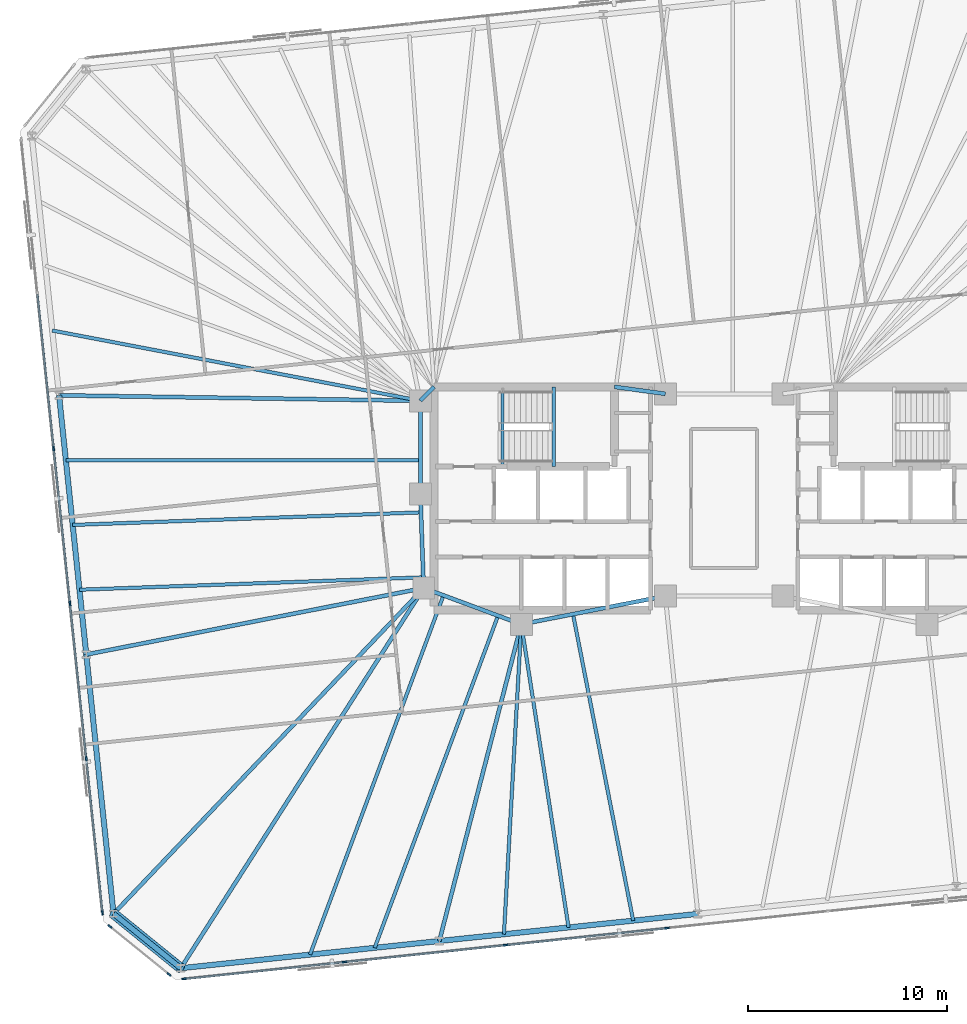
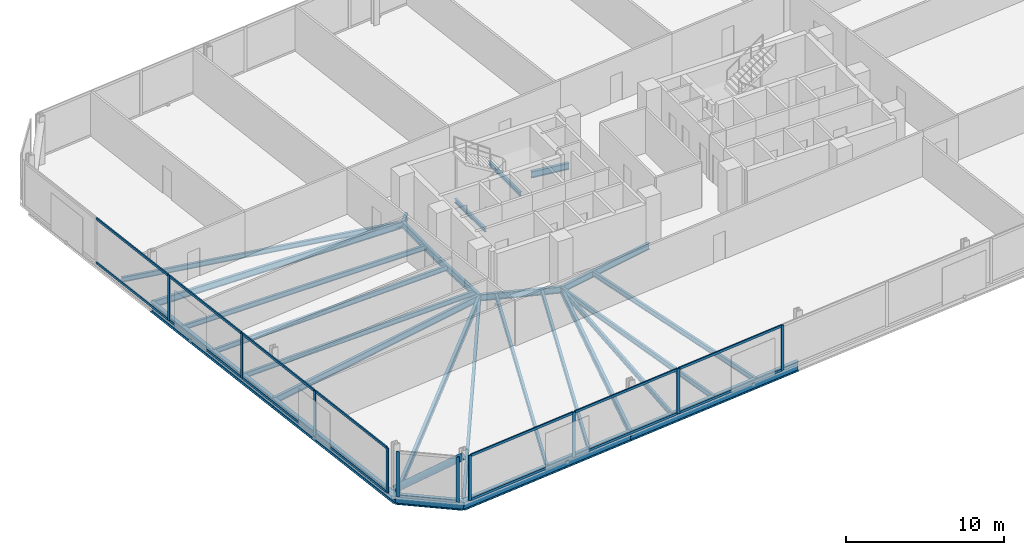
# One storey, part 6 of 18: 27 beams, 25 members, 3 elements without a shape of their own.
"""IFC4 building model written with IfcOpenShell, lengths in metres."""

from ifc_helpers import new_model, si_unit, direction, frame, origin, origin_2d, place, context, subcontext, project, spatial, rectangle, hollow_circle, i_section, extrude, material, material_profile, profile_set, type_object, element, aggregate, save


model = new_model("IFC4")

# Units and contexts
model_context = context("Model", 3, precision=1e-05, world=origin(), true_north=direction((0.0, 1.0)))
body_context = subcontext(model_context, "Body", "Model", "MODEL_VIEW")
ifc_project = project(units=[si_unit("LENGTHUNIT", "METRE"), si_unit("AREAUNIT", "SQUARE_METRE"), si_unit("VOLUMEUNIT", "CUBIC_METRE"), si_unit("PLANEANGLEUNIT", "RADIAN"), si_unit("MASSUNIT", "GRAM", prefix="KILO")], contexts=[model_context])

# Site, building, storey
site_placement = place(None, origin())
site = spatial("IfcSite", under=ifc_project, at=site_placement, CompositionType="ELEMENT")
building_placement = place(site_placement, origin())
building = spatial("IfcBuilding", under=site, at=building_placement, Name="Menara Jurai Vektor", CompositionType="ELEMENT")
storey_placement = place(building_placement, frame((0.0, 0.0, 128.10009765625)))
storey = spatial("IfcBuildingStorey", under=building, at=storey_placement, Name="L32", CompositionType="ELEMENT", Elevation=128.10009765625)

# Curtain wall, members
ifc_material_1 = material(Name="Anodised Pale Aluminium & Low-E Double Glazing", Category="aluminium")
curtain_wall_type = type_object("IfcCurtainWallType", Name="CW-BLK2", PredefinedType="NOTDEFINED", material=ifc_material_1)
curtain_wall_1_placement = place(storey_placement, origin())
curtain_wall_1 = element("IfcCurtainWall", 1, at=curtain_wall_1_placement, inside=storey, type_object=curtain_wall_type, Name="Unitised Curtain Wall L32 F01", PredefinedType="NOTDEFINED")
ifc_material_2 = material(Name="Anodised Pale Aluminium Mullion", Category="aluminium")
ifc_material_profile_1 = material_profile(ifc_material_2, rectangle(XDim=0.090087890625, YDim=0.219970703125, at=origin_2d()), Name="ALU MUL 90x220")
ifc_profile_set_1 = profile_set([ifc_material_profile_1], Name="Anodised Pale Aluminium Mullion")
member_type_1 = type_object("IfcMemberType", Name="CW-BLK2-MUL", PredefinedType="MULLION", material=ifc_profile_set_1)
member_1_placement = place(storey_placement, frame((-27.116455078125, -24.122314453125, 0.0), z_axis=(0.0, 0.0, 1.0), x_axis=(-0.104528634935, 0.994521877325, 0.0)))
member_1 = element("IfcMember", 2, at=member_1_placement, type_object=member_type_1, Name="CW-02 mullion 1", PredefinedType="MULLION", context=body_context, shape_type="SweptSolid", body=[
    extrude(rectangle(XDim=0.090087890625, YDim=0.219970703125, at=origin_2d()), origin(), (0.0, 0.0, 1.0), 3.474853515625),
])
member_2_placement = place(storey_placement, frame((-19.0634765625, -23.27587890625, 0.0), z_axis=(0.0, 0.0, 1.0), x_axis=(-0.104528634935, 0.994521877325, 0.0)))
member_2 = element("IfcMember", 3, at=member_2_placement, type_object=member_type_1, Name="CW-02 mullion 2", PredefinedType="MULLION", context=body_context, shape_type="SweptSolid", body=[
    extrude(rectangle(XDim=0.090087890625, YDim=0.219970703125, at=origin_2d()), origin(), (0.0, 0.0, 1.0), 3.474853515625),
])
member_3_placement = place(storey_placement, frame((-10.965576171875, -22.4248046875, 0.0), z_axis=(0.0, 0.0, 1.0), x_axis=(-0.104528634935, 0.994521877325, 0.0)))
member_3 = element("IfcMember", 4, at=member_3_placement, type_object=member_type_1, Name="CW-02 mullion 3", PredefinedType="MULLION", context=body_context, shape_type="SweptSolid", body=[
    extrude(rectangle(XDim=0.090087890625, YDim=0.219970703125, at=origin_2d()), origin(), (0.0, 0.0, 1.0), 3.474853515625),
])
member_4_placement = place(storey_placement, frame((-2.86767578125, -21.57373046875, 0.0), z_axis=(0.0, 0.0, 1.0), x_axis=(-0.104528634935, 0.994521877325, 0.0)))
member_4 = element("IfcMember", 5, at=member_4_placement, type_object=member_type_1, Name="CW-02 mullion 4", PredefinedType="MULLION", context=body_context, shape_type="SweptSolid", body=[
    extrude(rectangle(XDim=0.090087890625, YDim=0.219970703125, at=origin_2d()), origin(), (0.0, 0.0, 1.0), 3.474853515625),
])

curtain_wall_2_placement = place(storey_placement, origin())
curtain_wall_2 = element("IfcCurtainWall", 6, at=curtain_wall_2_placement, inside=storey, type_object=curtain_wall_type, Name="Unitised Curtain Wall L32 F07", PredefinedType="NOTDEFINED")
member_5_placement = place(storey_placement, frame((-33.66064453125, 2.50341796875, 0.0), z_axis=(0.0, 0.0, 1.0), x_axis=(0.99452177832, 0.104529576902, 0.0)))
member_5 = element("IfcMember", 7, at=member_5_placement, type_object=member_type_1, Name="CW-02 mullion 3", PredefinedType="MULLION", context=body_context, shape_type="SweptSolid", body=[
    extrude(rectangle(XDim=0.090087890625, YDim=0.219970703125, at=origin_2d()), origin(), (0.0, 0.0, 1.0), 3.474853515625),
])
member_6_placement = place(storey_placement, frame((-32.84228515625, -5.28173828125, 0.0), z_axis=(0.0, 0.0, 1.0), x_axis=(0.99452177832, 0.104529576902, 0.0)))
member_6 = element("IfcMember", 8, at=member_6_placement, type_object=member_type_1, Name="CW-02 mullion 4", PredefinedType="MULLION", context=body_context, shape_type="SweptSolid", body=[
    extrude(rectangle(XDim=0.090087890625, YDim=0.219970703125, at=origin_2d()), origin(), (0.0, 0.0, 1.0), 3.474853515625),
])
member_7_placement = place(storey_placement, frame((-32.024169921875, -13.06689453125, 0.0), z_axis=(0.0, 0.0, 1.0), x_axis=(0.99452177832, 0.104529576902, 0.0)))
member_7 = element("IfcMember", 9, at=member_7_placement, type_object=member_type_1, Name="CW-02 mullion 5", PredefinedType="MULLION", context=body_context, shape_type="SweptSolid", body=[
    extrude(rectangle(XDim=0.090087890625, YDim=0.219970703125, at=origin_2d()), origin(), (0.0, 0.0, 1.0), 3.474853515625),
])
member_8_placement = place(storey_placement, frame((-31.21044921875, -20.80712890625, 0.0), z_axis=(0.0, 0.0, 1.0), x_axis=(0.99452177832, 0.104529576902, 0.0)))
member_8 = element("IfcMember", 10, at=member_8_placement, type_object=member_type_1, Name="CW-02 mullion 6", PredefinedType="MULLION", context=body_context, shape_type="SweptSolid", body=[
    extrude(rectangle(XDim=0.090087890625, YDim=0.219970703125, at=origin_2d()), origin(), (0.0, 0.0, 1.0), 3.474853515625),
])

curtain_wall_3_placement = place(storey_placement, origin())
curtain_wall_3 = element("IfcCurtainWall", 11, at=curtain_wall_3_placement, inside=storey, type_object=curtain_wall_type, Name="Unitised Curtain Wall L32 F08", PredefinedType="NOTDEFINED")
member_9_placement = place(storey_placement, frame((-30.8359375, -21.497314453125, 0.0), z_axis=(0.0, 0.0, 1.0), x_axis=(0.629313085353, 0.777151877437, 0.0)))
member_9 = element("IfcMember", 12, at=member_9_placement, type_object=member_type_1, Name="CW-02 mullion 1", PredefinedType="MULLION", context=body_context, shape_type="SweptSolid", body=[
    extrude(rectangle(XDim=0.090087890625, YDim=0.219970703125, at=origin_2d()), origin(), (0.0, 0.0, 1.0), 3.474853515625),
])
member_10_placement = place(storey_placement, frame((-27.869384765625, -23.8994140625, 0.0), z_axis=(0.0, 0.0, 1.0), x_axis=(0.629313085353, 0.777151877437, 0.0)))
member_10 = element("IfcMember", 13, at=member_10_placement, type_object=member_type_1, Name="CW-02 mullion 2", PredefinedType="MULLION", context=body_context, shape_type="SweptSolid", body=[
    extrude(rectangle(XDim=0.090087890625, YDim=0.219970703125, at=origin_2d()), origin(), (0.0, 0.0, 1.0), 3.474853515625),
])
aggregate(curtain_wall_3, [member_9, member_10])

# Member
ifc_material_3 = material(Name="Anodised Pale Aluminium Transom", Category="aluminium")
ifc_material_profile_2 = material_profile(ifc_material_3, rectangle(XDim=0.090087890625, YDim=0.18505859375, at=origin_2d()), Name="ALU TRN 90x185")
ifc_profile_set_2 = profile_set([ifc_material_profile_2], Name="Anodised Pale Aluminium Transom")
member_type_2 = type_object("IfcMemberType", Name="CW-BLK2-TRN", PredefinedType="USERDEFINED", material=ifc_profile_set_2)
member_11_placement = place(storey_placement, frame((-27.07177734375, -24.11767578125, 0.044921875), z_axis=(0.994523147415, 0.10451655015, 0.0), x_axis=(-0.10451655015, 0.994523147415, 0.0)))
member_11 = element("IfcMember", 14, at=member_11_placement, type_object=member_type_2, Name="CW-02 transom 1.1", ObjectType="TRANSOM", PredefinedType="USERDEFINED", context=body_context, shape_type="SweptSolid", body=[
    extrude(rectangle(XDim=0.090087890625, YDim=0.18505859375, at=origin_2d()), origin(), (0.0, 0.0, 1.0), 8.007568359375),
])

member_12_placement = place(storey_placement, frame((-27.07177734375, -24.11767578125, 3.429931640625), z_axis=(0.994523147415, 0.10451655015, 0.0), x_axis=(-0.10451655015, 0.994523147415, 0.0)))
member_12 = element("IfcMember", 15, at=member_12_placement, type_object=member_type_2, Name="CW-02 transom 1.2", ObjectType="TRANSOM", PredefinedType="USERDEFINED", context=body_context, shape_type="SweptSolid", body=[
    extrude(rectangle(XDim=0.090087890625, YDim=0.18505859375, at=origin_2d()), origin(), (0.0, 0.0, 1.0), 8.007568359375),
])

member_13_placement = place(storey_placement, frame((-19.0185546875, -23.271240234375, 0.044921875), z_axis=(0.994520726373, 0.10453958492, 0.0), x_axis=(-0.10453958492, 0.994520726373, 0.0)))
member_13 = element("IfcMember", 16, at=member_13_placement, type_object=member_type_2, Name="CW-02 transom 2.1", ObjectType="TRANSOM", PredefinedType="USERDEFINED", context=body_context, shape_type="SweptSolid", body=[
    extrude(rectangle(XDim=0.090087890625, YDim=0.18505859375, at=origin_2d()), origin(), (0.0, 0.0, 1.0), 8.052490234375),
])

member_14_placement = place(storey_placement, frame((-19.0185546875, -23.271240234375, 3.429931640625), z_axis=(0.994520726373, 0.10453958492, 0.0), x_axis=(-0.10453958492, 0.994520726373, 0.0)))
member_14 = element("IfcMember", 17, at=member_14_placement, type_object=member_type_2, Name="CW-02 transom 2.2", ObjectType="TRANSOM", PredefinedType="USERDEFINED", context=body_context, shape_type="SweptSolid", body=[
    extrude(rectangle(XDim=0.090087890625, YDim=0.18505859375, at=origin_2d()), origin(), (0.0, 0.0, 1.0), 8.052490234375),
])

member_15_placement = place(storey_placement, frame((-10.920654296875, -22.420166015625, 0.044921875), z_axis=(0.994520726373, 0.10453958492, 0.0), x_axis=(-0.10453958492, 0.994520726373, 0.0)))
member_15 = element("IfcMember", 18, at=member_15_placement, type_object=member_type_2, Name="CW-02 transom 3.1", ObjectType="TRANSOM", PredefinedType="USERDEFINED", context=body_context, shape_type="SweptSolid", body=[
    extrude(rectangle(XDim=0.090087890625, YDim=0.18505859375, at=origin_2d()), origin(), (0.0, 0.0, 1.0), 8.052490234375),
])

member_16_placement = place(storey_placement, frame((-10.920654296875, -22.420166015625, 3.429931640625), z_axis=(0.994520726373, 0.10453958492, 0.0), x_axis=(-0.10453958492, 0.994520726373, 0.0)))
member_16 = element("IfcMember", 19, at=member_16_placement, type_object=member_type_2, Name="CW-02 transom 3.2", ObjectType="TRANSOM", PredefinedType="USERDEFINED", context=body_context, shape_type="SweptSolid", body=[
    extrude(rectangle(XDim=0.090087890625, YDim=0.18505859375, at=origin_2d()), origin(), (0.0, 0.0, 1.0), 8.052490234375),
])

aggregate(curtain_wall_1, [member_1, member_2, member_3, member_4, member_11, member_12, member_13, member_14, member_15, member_16])

member_17_placement = place(storey_placement, frame((-34.47412109375, 10.243896484375, 0.044921875), z_axis=(0.104525476786, -0.994522209256, 0.0), x_axis=(0.994522209256, 0.104525476786, 0.0)))
member_17 = element("IfcMember", 20, at=member_17_placement, type_object=member_type_2, Name="CW-02 transom 2.1", ObjectType="TRANSOM", PredefinedType="USERDEFINED", context=body_context, shape_type="SweptSolid", body=[
    extrude(rectangle(XDim=0.090087890625, YDim=0.18505859375, at=origin_2d()), origin(), (0.0, 0.0, 1.0), 7.73828125),
])

member_18_placement = place(storey_placement, frame((-34.47412109375, 10.243896484375, 3.429931640625), z_axis=(0.104525476786, -0.994522209256, 0.0), x_axis=(0.994522209256, 0.104525476786, 0.0)))
member_18 = element("IfcMember", 21, at=member_18_placement, type_object=member_type_2, Name="CW-02 transom 2.2", ObjectType="TRANSOM", PredefinedType="USERDEFINED", context=body_context, shape_type="SweptSolid", body=[
    extrude(rectangle(XDim=0.090087890625, YDim=0.18505859375, at=origin_2d()), origin(), (0.0, 0.0, 1.0), 7.73828125),
])

member_19_placement = place(storey_placement, frame((-33.65576171875, 2.458740234375, 0.044921875), z_axis=(0.104525476786, -0.994522209256, 0.0), x_axis=(0.994522209256, 0.104525476786, 0.0)))
member_19 = element("IfcMember", 22, at=member_19_placement, type_object=member_type_2, Name="CW-02 transom 3.1", ObjectType="TRANSOM", PredefinedType="USERDEFINED", context=body_context, shape_type="SweptSolid", body=[
    extrude(rectangle(XDim=0.090087890625, YDim=0.18505859375, at=origin_2d()), origin(), (0.0, 0.0, 1.0), 7.73828125),
])

member_20_placement = place(storey_placement, frame((-33.65576171875, 2.458740234375, 3.429931640625), z_axis=(0.104525476786, -0.994522209256, 0.0), x_axis=(0.994522209256, 0.104525476786, 0.0)))
member_20 = element("IfcMember", 23, at=member_20_placement, type_object=member_type_2, Name="CW-02 transom 3.2", ObjectType="TRANSOM", PredefinedType="USERDEFINED", context=body_context, shape_type="SweptSolid", body=[
    extrude(rectangle(XDim=0.090087890625, YDim=0.18505859375, at=origin_2d()), origin(), (0.0, 0.0, 1.0), 7.73828125),
])

member_21_placement = place(storey_placement, frame((-32.837646484375, -5.326416015625, 0.044921875), z_axis=(0.104525476786, -0.994522209256, 0.0), x_axis=(0.994522209256, 0.104525476786, 0.0)))
member_21 = element("IfcMember", 24, at=member_21_placement, type_object=member_type_2, Name="CW-02 transom 4.1", ObjectType="TRANSOM", PredefinedType="USERDEFINED", context=body_context, shape_type="SweptSolid", body=[
    extrude(rectangle(XDim=0.090087890625, YDim=0.18505859375, at=origin_2d()), origin(), (0.0, 0.0, 1.0), 7.73828125),
])

member_22_placement = place(storey_placement, frame((-32.837646484375, -5.326416015625, 3.429931640625), z_axis=(0.104525476786, -0.994522209256, 0.0), x_axis=(0.994522209256, 0.104525476786, 0.0)))
member_22 = element("IfcMember", 25, at=member_22_placement, type_object=member_type_2, Name="CW-02 transom 4.2", ObjectType="TRANSOM", PredefinedType="USERDEFINED", context=body_context, shape_type="SweptSolid", body=[
    extrude(rectangle(XDim=0.090087890625, YDim=0.18505859375, at=origin_2d()), origin(), (0.0, 0.0, 1.0), 7.73828125),
])

member_23_placement = place(storey_placement, frame((-32.019287109375, -13.111572265625, 0.044921875), z_axis=(0.104536105602, -0.994521092097, 0.0), x_axis=(0.994521092097, 0.104536105602, 0.0)))
member_23 = element("IfcMember", 26, at=member_23_placement, type_object=member_type_2, Name="CW-02 transom 5.1", ObjectType="TRANSOM", PredefinedType="USERDEFINED", context=body_context, shape_type="SweptSolid", body=[
    extrude(rectangle(XDim=0.090087890625, YDim=0.18505859375, at=origin_2d()), origin(), (0.0, 0.0, 1.0), 7.693115234375),
])

member_24_placement = place(storey_placement, frame((-32.019287109375, -13.111572265625, 3.429931640625), z_axis=(0.104536105602, -0.994521092097, 0.0), x_axis=(0.994521092097, 0.104536105602, 0.0)))
member_24 = element("IfcMember", 27, at=member_24_placement, type_object=member_type_2, Name="CW-02 transom 5.2", ObjectType="TRANSOM", PredefinedType="USERDEFINED", context=body_context, shape_type="SweptSolid", body=[
    extrude(rectangle(XDim=0.090087890625, YDim=0.18505859375, at=origin_2d()), origin(), (0.0, 0.0, 1.0), 7.693115234375),
])

aggregate(curtain_wall_2, [member_5, member_6, member_7, member_8, member_17, member_18, member_19, member_20, member_21, member_22, member_23, member_24])

# Beams
ifc_material_4 = material(Name="Steel S355", Category="steel")
ifc_material_profile_3 = material_profile(ifc_material_4, i_section(OverallWidth=0.199951171875, OverallDepth=0.5, WebThickness=0.011962890625, FlangeThickness=0.02001953125, at=origin_2d()), Name="PG 500x200x96")
ifc_profile_set_3 = profile_set([ifc_material_profile_3], Name="Steel S355")
beam_type_1 = type_object("IfcBeamType", Name="STR-BM-500", PredefinedType="BEAM", material=ifc_profile_set_3)
beam_1_placement = place(storey_placement, frame((-15.25, 4.89990234375, -0.47509765625), z_axis=(0.701871936926, 0.712303154672, 0.0), x_axis=(-0.712303154672, 0.701871936926, 0.0)))
element("IfcBeam", 28, at=beam_1_placement, inside=storey, type_object=beam_type_1, Name="Core Ring Header Girder L32-CHW-N1", PredefinedType="BEAM", context=body_context, shape_type="SweptSolid", body=[
    extrude(i_section(OverallWidth=0.199951171875, OverallDepth=0.5, WebThickness=0.011962890625, FlangeThickness=0.02001953125, at=origin_2d()), origin(), (0.0, 0.0, 1.0), 0.98291015625),
])
beam_2_placement = place(storey_placement, frame((-5.5, 5.60009765625, -0.47509765625), z_axis=(0.990706818608, -0.136014703483, 0.0), x_axis=(0.136014703483, 0.990706818608, 0.0)))
element("IfcBeam", 29, at=beam_2_placement, inside=storey, type_object=beam_type_1, Name="Core Ring Header Girder L32-CHW-N2", PredefinedType="BEAM", context=body_context, shape_type="SweptSolid", body=[
    extrude(i_section(OverallWidth=0.199951171875, OverallDepth=0.5, WebThickness=0.011962890625, FlangeThickness=0.02001953125, at=origin_2d()), origin(), (0.0, 0.0, 1.0), 2.573974609375),
])
beam_3_placement = place(storey_placement, frame((-15.25, 0.219970703125, -0.47509765625), z_axis=(0.0, 1.0, 0.0), x_axis=(-1.0, 0.0, 0.0)))
element("IfcBeam", 30, at=beam_3_placement, inside=storey, type_object=beam_type_1, Name="Core Ring Header Girder L32-CHW-W1", PredefinedType="BEAM", context=body_context, shape_type="SweptSolid", body=[
    extrude(i_section(OverallWidth=0.199951171875, OverallDepth=0.5, WebThickness=0.011962890625, FlangeThickness=0.02001953125, at=origin_2d()), origin(), (0.0, 0.0, 1.0), 4.679931640625),
])
beam_4_placement = place(storey_placement, frame((-15.080078125, -4.5, -0.47509765625), z_axis=(-0.035977314146, 0.999352606874, 0.0), x_axis=(-0.999352606874, -0.035977314146, 0.0)))
element("IfcBeam", 31, at=beam_4_placement, inside=storey, type_object=beam_type_1, Name="Core Ring Header Girder L32-CHW-W2", PredefinedType="BEAM", context=body_context, shape_type="SweptSolid", body=[
    extrude(i_section(OverallWidth=0.199951171875, OverallDepth=0.5, WebThickness=0.011962890625, FlangeThickness=0.02001953125, at=origin_2d()), origin(), (0.0, 0.0, 1.0), 4.72314453125),
])
beam_5_placement = place(storey_placement, frame((-15.080078125, -4.5, -0.47509765625), z_axis=(0.937424400887, -0.348188874925, 0.0), x_axis=(0.348188874925, 0.937424400887, 0.0)))
element("IfcBeam", 32, at=beam_5_placement, inside=storey, type_object=beam_type_1, Name="Core Ring Header Girder L32-CHW-S1", PredefinedType="BEAM", context=body_context, shape_type="SweptSolid", body=[
    extrude(i_section(OverallWidth=0.199951171875, OverallDepth=0.5, WebThickness=0.011962890625, FlangeThickness=0.02001953125, at=origin_2d()), origin(), (0.0, 0.0, 1.0), 5.227294921875),
])
beam_6_placement = place(storey_placement, frame((-10.179931640625, -6.320068359375, -0.47509765625), z_axis=(0.981249044334, 0.192744164614, 0.0), x_axis=(-0.192744164614, 0.981249044334, 0.0)))
element("IfcBeam", 33, at=beam_6_placement, inside=storey, type_object=beam_type_1, Name="Core Ring Header Girder L32-CHW-S2", PredefinedType="BEAM", context=body_context, shape_type="SweptSolid", body=[
    extrude(i_section(OverallWidth=0.199951171875, OverallDepth=0.5, WebThickness=0.011962890625, FlangeThickness=0.02001953125, at=origin_2d()), origin(), (0.0, 0.0, 1.0), 7.3681640625),
])
beam_7_placement = place(storey_placement, frame((-27.2763671875, -23.586181640625, -0.47509765625), z_axis=(0.538462629542, 0.842649391258, 0.0), x_axis=(-0.842649391258, 0.538462629542, 0.0)))
element("IfcBeam", 34, at=beam_7_placement, inside=storey, type_object=beam_type_1, Name="Radial Floor Girder L32-S1", PredefinedType="BEAM", context=body_context, shape_type="SweptSolid", body=[
    extrude(i_section(OverallWidth=0.199951171875, OverallDepth=0.5, WebThickness=0.011962890625, FlangeThickness=0.02001953125, at=origin_2d()), origin(), (0.0, 0.0, 1.0), 22.650146484375),
])
beam_8_placement = place(storey_placement, frame((-14.296630859375, -22.221923828125, -0.47509765625), z_axis=(0.250619644892, 0.968085633399, 0.0), x_axis=(-0.968085633399, 0.250619644892, 0.0)))
element("IfcBeam", 35, at=beam_8_placement, inside=storey, type_object=beam_type_1, Name="Radial Floor Girder L32-S2", PredefinedType="BEAM", context=body_context, shape_type="SweptSolid", body=[
    extrude(i_section(OverallWidth=0.199951171875, OverallDepth=0.5, WebThickness=0.011962890625, FlangeThickness=0.02001953125, at=origin_2d()), origin(), (0.0, 0.0, 1.0), 16.426025390625),
])
beam_9_placement = place(storey_placement, frame((-33.38818359375, 5.175048828125, -0.47509765625), z_axis=(0.999884963566, -0.015167716827, 0.0), x_axis=(0.015167716827, 0.999884963566, 0.0)))
element("IfcBeam", 36, at=beam_9_placement, inside=storey, type_object=beam_type_1, Name="Radial Floor Girder L32-W2", PredefinedType="BEAM", context=body_context, shape_type="SweptSolid", body=[
    extrude(i_section(OverallWidth=0.199951171875, OverallDepth=0.5, WebThickness=0.011962890625, FlangeThickness=0.02001953125, at=origin_2d()), origin(), (0.0, 0.0, 1.0), 18.140380859375),
])
beam_10_placement = place(storey_placement, frame((-32.0205078125, -7.83837890625, -0.47509765625), z_axis=(0.98113039493, 0.193347221714, 0.0), x_axis=(-0.193347221714, 0.98113039493, 0.0)))
element("IfcBeam", 37, at=beam_10_placement, inside=storey, type_object=beam_type_1, Name="Radial Floor Girder L32-W3", PredefinedType="BEAM", context=body_context, shape_type="SweptSolid", body=[
    extrude(i_section(OverallWidth=0.199951171875, OverallDepth=0.5, WebThickness=0.011962890625, FlangeThickness=0.02001953125, at=origin_2d()), origin(), (0.0, 0.0, 1.0), 17.266357421875),
])
beam_11_placement = place(storey_placement, frame((-30.65283203125, -20.85205078125, -0.47509765625), z_axis=(0.689640593718, 0.724151815227, 0.0), x_axis=(-0.724151815227, 0.689640593718, 0.0)))
element("IfcBeam", 38, at=beam_11_placement, inside=storey, type_object=beam_type_1, Name="Radial Floor Girder L32-W4", PredefinedType="BEAM", context=body_context, shape_type="SweptSolid", body=[
    extrude(i_section(OverallWidth=0.199951171875, OverallDepth=0.5, WebThickness=0.011962890625, FlangeThickness=0.02001953125, at=origin_2d()), origin(), (0.0, 0.0, 1.0), 22.5810546875),
])

# Member
ifc_material_5 = material(Name="Steel S460", Category="steel")
ifc_material_profile_4 = material_profile(ifc_material_5, hollow_circle(Radius=0.25390625, WallThickness=0.02001953125, at=origin_2d()), Name="CHS 508x20")
ifc_profile_set_4 = profile_set([ifc_material_profile_4], Name="Steel S460")
member_type_3 = type_object("IfcMemberType", Name="STR-BR-508", PredefinedType="BRACE", material=ifc_profile_set_4)
member_25_placement = place(storey_placement, frame((-30.65283203125, -20.85205078125, 0.14990234375), z_axis=(0.641223283484, -0.519237856236, 0.564999778203), x_axis=(0.629309762217, 0.777154568396, 0.0)))
element("IfcMember", 39, at=member_25_placement, inside=storey, type_object=member_type_3, Name="Exoskeleton Corner Brace L32-4", PredefinedType="BRACE", context=body_context, shape_type="SweptSolid", body=[
    extrude(hollow_circle(Radius=0.25390625, WallThickness=0.02001953125, at=origin_2d()), origin(), (0.0, 0.0, 1.0), 5.265625),
])

# Beams
ifc_material_profile_5 = material_profile(ifc_material_4, i_section(OverallWidth=0.175048828125, OverallDepth=0.3798828125, WebThickness=0.010009765625, FlangeThickness=0.014892578125, at=origin_2d()), Name="PG 380x175x58")
ifc_profile_set_5 = profile_set([ifc_material_profile_5], Name="Steel S355")
beam_type_2 = type_object("IfcBeamType", Name="STR-JS-380", PredefinedType="JOIST", material=ifc_profile_set_5)
beam_12_placement = place(storey_placement, frame((-20.78662109375, -22.904052734375, -0.4150390625), z_axis=(0.34819162731, 0.93742337856, 0.0), x_axis=(-0.93742337856, 0.34819162731, 0.0)))
element("IfcBeam", 40, at=beam_12_placement, inside=storey, type_object=beam_type_2, Name="Radial Secondary Floor Joist L32-JS01", PredefinedType="JOIST", context=body_context, shape_type="SweptSolid", body=[
    extrude(i_section(OverallWidth=0.175048828125, OverallDepth=0.3798828125, WebThickness=0.010009765625, FlangeThickness=0.014892578125, at=origin_2d()), origin(), (0.0, 0.0, 1.0), 19.2392578125),
])
beam_13_placement = place(storey_placement, frame((-17.54150390625, -22.56298828125, -0.4150390625), z_axis=(0.348184462185, 0.937426039906, 0.0), x_axis=(-0.937426039906, 0.348184462185, 0.0)))
element("IfcBeam", 41, at=beam_13_placement, inside=storey, type_object=beam_type_2, Name="Radial Secondary Floor Joist L32-JS02", PredefinedType="JOIST", context=body_context, shape_type="SweptSolid", body=[
    extrude(i_section(OverallWidth=0.175048828125, OverallDepth=0.3798828125, WebThickness=0.010009765625, FlangeThickness=0.014892578125, at=origin_2d()), origin(), (0.0, 0.0, 1.0), 17.789794921875),
])
beam_14_placement = place(storey_placement, frame((-11.0517578125, -21.880859375, -0.4150390625), z_axis=(0.055939382302, 0.998434166837, 0.0), x_axis=(-0.998434166837, 0.055939382302, 0.0)))
element("IfcBeam", 42, at=beam_14_placement, inside=storey, type_object=beam_type_2, Name="Radial Secondary Floor Joist L32-JS03", PredefinedType="JOIST", context=body_context, shape_type="SweptSolid", body=[
    extrude(i_section(OverallWidth=0.175048828125, OverallDepth=0.3798828125, WebThickness=0.010009765625, FlangeThickness=0.014892578125, at=origin_2d()), origin(), (0.0, 0.0, 1.0), 15.585205078125),
])
beam_15_placement = place(storey_placement, frame((-7.806884765625, -21.539794921875, -0.4150390625), z_axis=(-0.154057765645, 0.988061842622, 0.0), x_axis=(-0.988061842622, -0.154057765645, 0.0)))
element("IfcBeam", 43, at=beam_15_placement, inside=storey, type_object=beam_type_2, Name="Radial Secondary Floor Joist L32-JS04", PredefinedType="JOIST", context=body_context, shape_type="SweptSolid", body=[
    extrude(i_section(OverallWidth=0.175048828125, OverallDepth=0.3798828125, WebThickness=0.010009765625, FlangeThickness=0.014892578125, at=origin_2d()), origin(), (0.0, 0.0, 1.0), 15.403564453125),
])
beam_16_placement = place(storey_placement, frame((-4.56201171875, -21.19873046875, -0.4150390625), z_axis=(-0.19271398667, 0.981254971627, 0.0), x_axis=(-0.981254971627, -0.19271398667, 0.0)))
element("IfcBeam", 44, at=beam_16_placement, inside=storey, type_object=beam_type_2, Name="Radial Secondary Floor Joist L32-JS05", PredefinedType="JOIST", context=body_context, shape_type="SweptSolid", body=[
    extrude(i_section(OverallWidth=0.175048828125, OverallDepth=0.3798828125, WebThickness=0.010009765625, FlangeThickness=0.014892578125, at=origin_2d()), origin(), (0.0, 0.0, 1.0), 15.682373046875),
])
beam_17_placement = place(storey_placement, frame((-33.730224609375, 8.428466796875, -0.4150390625), z_axis=(0.982255215221, -0.187549172674, 0.0), x_axis=(0.187549172674, 0.982255215221, 0.0)))
element("IfcBeam", 45, at=beam_17_placement, inside=storey, type_object=beam_type_2, Name="Radial Secondary Floor Joist L32-JS38", PredefinedType="JOIST", context=body_context, shape_type="SweptSolid", body=[
    extrude(i_section(OverallWidth=0.175048828125, OverallDepth=0.3798828125, WebThickness=0.010009765625, FlangeThickness=0.014892578125, at=origin_2d()), origin(), (0.0, 0.0, 1.0), 18.81396484375),
])
beam_18_placement = place(storey_placement, frame((-33.04638671875, 1.921630859375, -0.4150390625), z_axis=(1.0, 0.0, 0.0), x_axis=(0.0, 1.0, 0.0)))
element("IfcBeam", 46, at=beam_18_placement, inside=storey, type_object=beam_type_2, Name="Radial Secondary Floor Joist L32-JS39", PredefinedType="JOIST", context=body_context, shape_type="SweptSolid", body=[
    extrude(i_section(OverallWidth=0.175048828125, OverallDepth=0.3798828125, WebThickness=0.010009765625, FlangeThickness=0.014892578125, at=origin_2d()), origin(), (0.0, 0.0, 1.0), 17.79638671875),
])
beam_19_placement = place(storey_placement, frame((-32.704345703125, -1.331787109375, -0.4150390625), z_axis=(0.999351948809, 0.035995588769, 0.0), x_axis=(-0.035995588769, 0.999351948809, 0.0)))
element("IfcBeam", 47, at=beam_19_placement, inside=storey, type_object=beam_type_2, Name="Radial Secondary Floor Joist L32-JS40", PredefinedType="JOIST", context=body_context, shape_type="SweptSolid", body=[
    extrude(i_section(OverallWidth=0.175048828125, OverallDepth=0.3798828125, WebThickness=0.010009765625, FlangeThickness=0.014892578125, at=origin_2d()), origin(), (0.0, 0.0, 1.0), 17.498779296875),
])
beam_20_placement = place(storey_placement, frame((-32.362548828125, -4.5849609375, -0.4150390625), z_axis=(0.999352405578, 0.03598290517, 0.0), x_axis=(-0.03598290517, 0.999352405578, 0.0)))
element("IfcBeam", 48, at=beam_20_placement, inside=storey, type_object=beam_type_2, Name="Radial Secondary Floor Joist L32-JS41", PredefinedType="JOIST", context=body_context, shape_type="SweptSolid", body=[
    extrude(i_section(OverallWidth=0.175048828125, OverallDepth=0.3798828125, WebThickness=0.010009765625, FlangeThickness=0.014892578125, at=origin_2d()), origin(), (0.0, 0.0, 1.0), 17.2744140625),
])
ifc_material_profile_6 = material_profile(ifc_material_4, i_section(OverallWidth=0.1650390625, OverallDepth=0.302978515625, WebThickness=0.006103515625, FlangeThickness=0.010009765625, FilletRadius=0.009033203125, at=origin_2d()), Name="UKB 305x165x40")
ifc_profile_set_6 = profile_set([ifc_material_profile_6], Name="Steel S355")
beam_type_3 = type_object("IfcBeamType", Name="STR-LN-305", PredefinedType="LINTEL", material=ifc_profile_set_6)
beam_21_placement = place(storey_placement, frame((-11.1201171875, 1.60009765625, -0.376708984375), z_axis=(0.0, 1.0, 0.0), x_axis=(-1.0, 0.0, 0.0)))
element("IfcBeam", 49, at=beam_21_placement, inside=storey, type_object=beam_type_3, Name="Stair Well Floor Trimmer ST1 L32", PredefinedType="LINTEL", context=body_context, shape_type="SweptSolid", body=[
    extrude(i_section(OverallWidth=0.1650390625, OverallDepth=0.302978515625, WebThickness=0.006103515625, FlangeThickness=0.010009765625, FilletRadius=0.009033203125, at=origin_2d()), origin(), (0.0, 0.0, 1.0), 3.81982421875),
])
beam_22_placement = place(storey_placement, frame((-8.550048828125, 1.60009765625, 1.498291015625), z_axis=(0.0, 1.0, 0.0), x_axis=(-1.0, 0.0, 0.0)))
element("IfcBeam", 50, at=beam_22_placement, inside=storey, type_object=beam_type_3, Name="Stair Half-Landing Nosing Trimmer ST1-1 L32", PredefinedType="LINTEL", context=body_context, shape_type="SweptSolid", body=[
    extrude(i_section(OverallWidth=0.1650390625, OverallDepth=0.302978515625, WebThickness=0.006103515625, FlangeThickness=0.010009765625, FilletRadius=0.009033203125, at=origin_2d()), origin(), (0.0, 0.0, 1.0), 4.0),
])
ifc_material_profile_7 = material_profile(ifc_material_5, i_section(OverallWidth=0.26806640625, OverallDepth=0.77001953125, WebThickness=0.01611328125, FlangeThickness=0.02490234375, FilletRadius=0.01708984375, at=origin_2d()), Name="UKB 762x267x197")
ifc_profile_set_7 = profile_set([ifc_material_profile_7], Name="Steel S460")
beam_type_4 = type_object("IfcBeamType", Name="STR-SP-762", PredefinedType="SPANDREL", material=ifc_profile_set_7)
for number, where, z_axis, x_axis, name in (
    (51, (-27.2763671875, -23.586181640625, -0.610107421875), (0.994521636083, 0.104530930169, 0.0), (-0.104530930169, 0.994521636083, 0.0), "Exoskeleton Spandrel Beam L32-01"),
    (52, (-14.296630859375, -22.221923828125, -0.610107421875), (0.994523580592, 0.104512428191, 0.0), (-0.104512428191, 0.994523580592, 0.0), "Exoskeleton Spandrel Beam L32-02"),
):
    element("IfcBeam", number, at=place(storey_placement, frame(where, z_axis=z_axis, x_axis=x_axis)), inside=storey, type_object=beam_type_4, Name=name, PredefinedType="SPANDREL", context=body_context, shape_type="SweptSolid", body=[
        extrude(i_section(OverallWidth=0.26806640625, OverallDepth=0.77001953125, WebThickness=0.01611328125, FlangeThickness=0.02490234375, FilletRadius=0.01708984375, at=origin_2d()), origin(), (0.0, 0.0, 1.0), 13.05126953125),
    ])
beam_23_placement = place(storey_placement, frame((-33.38818359375, 5.175048828125, -0.610107421875), z_axis=(0.104521615846, -0.994522615037, 0.0), x_axis=(0.994522615037, 0.104521615846, 0.0)))
element("IfcBeam", 53, at=beam_23_placement, inside=storey, type_object=beam_type_4, Name="Exoskeleton Spandrel Beam L32-18", PredefinedType="SPANDREL", context=body_context, shape_type="SweptSolid", body=[
    extrude(i_section(OverallWidth=0.26806640625, OverallDepth=0.77001953125, WebThickness=0.01611328125, FlangeThickness=0.02490234375, FilletRadius=0.01708984375, at=origin_2d()), origin(), (0.0, 0.0, 1.0), 13.085205078125),
])
beam_24_placement = place(storey_placement, frame((-32.0205078125, -7.83837890625, -0.610107421875), z_axis=(0.104519676409, -0.994522818865, 0.0), x_axis=(0.994522818865, 0.104519676409, 0.0)))
element("IfcBeam", 54, at=beam_24_placement, inside=storey, type_object=beam_type_4, Name="Exoskeleton Spandrel Beam L32-19", PredefinedType="SPANDREL", context=body_context, shape_type="SweptSolid", body=[
    extrude(i_section(OverallWidth=0.26806640625, OverallDepth=0.77001953125, WebThickness=0.01611328125, FlangeThickness=0.02490234375, FilletRadius=0.01708984375, at=origin_2d()), origin(), (0.0, 0.0, 1.0), 13.08544921875),
])
beam_25_placement = place(storey_placement, frame((-30.65283203125, -20.85205078125, -0.610107421875), z_axis=(0.777154568396, -0.629309762217, 0.0), x_axis=(0.629309762217, 0.777154568396, 0.0)))
element("IfcBeam", 55, at=beam_25_placement, inside=storey, type_object=beam_type_4, Name="Exoskeleton Spandrel Beam L32-20", PredefinedType="SPANDREL", context=body_context, shape_type="SweptSolid", body=[
    extrude(i_section(OverallWidth=0.26806640625, OverallDepth=0.77001953125, WebThickness=0.01611328125, FlangeThickness=0.02490234375, FilletRadius=0.01708984375, at=origin_2d()), origin(), (0.0, 0.0, 1.0), 4.3447265625),
])

save(model, "model.ifc")
